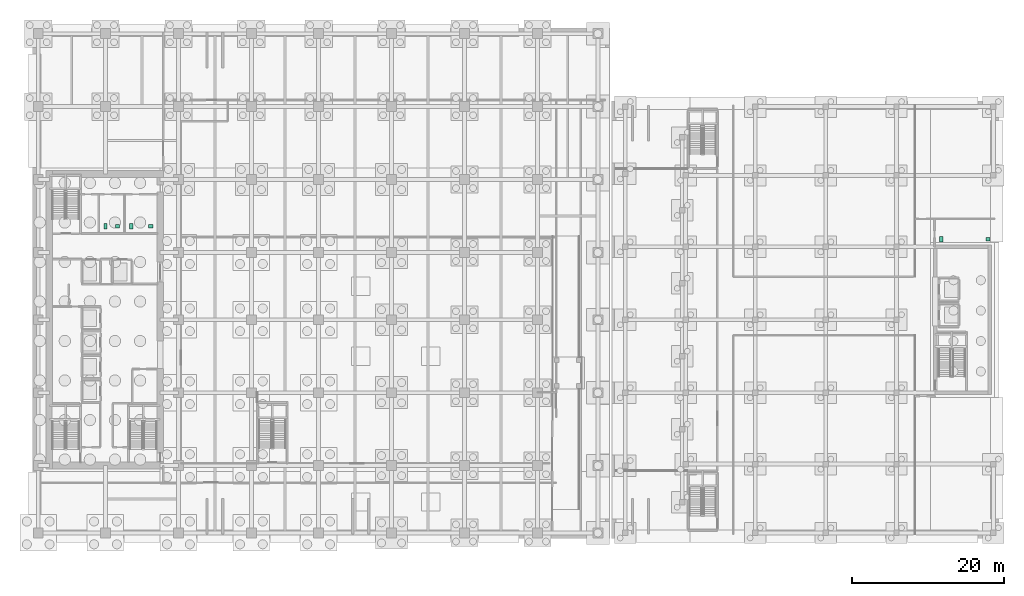
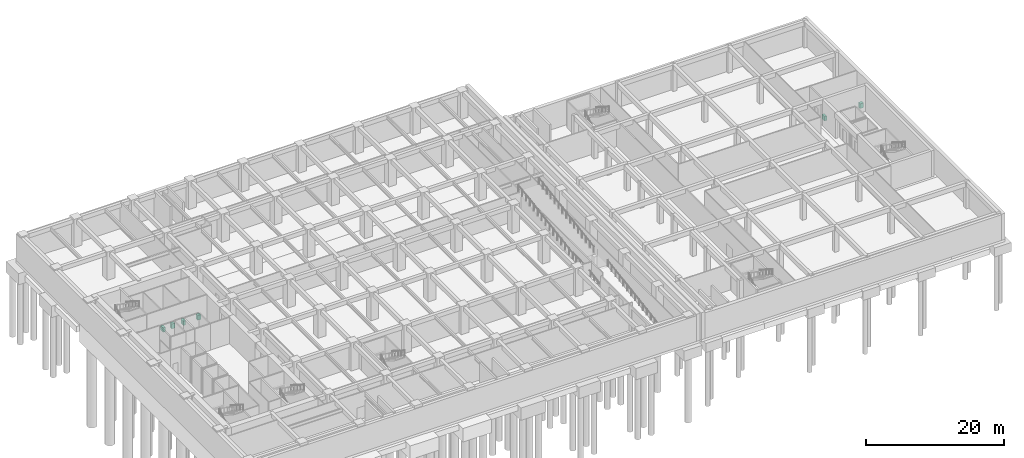
# One storey, part 19 of 20: 6 sanitary terminals.
"""IFC4 building model written with IfcOpenShell, lengths in metres."""

from ifc_helpers import new_model, si_unit, direction, frame, origin, origin_2d, place, context, subcontext, project, spatial, rectangle, extrude, material, type_object, element, save


model = new_model("IFC4")

# Units and contexts
model_context = context("Model", 3, precision=1e-05, world=origin(), true_north=direction((0.0, 1.0)))
body_context = subcontext(model_context, "Body", "Model", "MODEL_VIEW")
ifc_project = project(units=[si_unit("LENGTHUNIT", "METRE"), si_unit("AREAUNIT", "SQUARE_METRE"), si_unit("VOLUMEUNIT", "CUBIC_METRE"), si_unit("PLANEANGLEUNIT", "RADIAN"), si_unit("MASSUNIT", "GRAM", prefix="KILO")], contexts=[model_context])

# Site, building, storey
site_placement = place(None, origin())
site = spatial("IfcSite", under=ifc_project, at=site_placement, CompositionType="ELEMENT")
building_placement = place(site_placement, origin())
building = spatial("IfcBuilding", under=site, at=building_placement, Name="Norrvale University Quadrangle", CompositionType="ELEMENT")
storey_placement = place(building_placement, frame((0.0, 0.0, -5.0)))
storey = spatial("IfcBuildingStorey", under=building, at=storey_placement, Name="B01", CompositionType="ELEMENT", Elevation=-5.0)

# Sanitary terminals
ifc_material = material(Name="Vitreous China Sanitaryware")
sanitary_terminal_type_1 = type_object("IfcSanitaryTerminalType", Name="Sanitary Wash Basin", PredefinedType="WASHHANDBASIN", material=ifc_material)
for number, where, z_axis, x_axis, name in (
    (1, (11.199951171875, 41.10009765625, 0.0), (0.0, 0.0, 1.0), (1.0, 0.0, 0.0), "Accessible Countertop Washbasin B01-1"),
    (2, (15.550048828125, 41.10009765625, 0.0), (0.0, 0.0, 1.0), (1.0, 0.0, 0.0), "Accessible Countertop Washbasin B01-2"),
    (3, (125.75, 39.39990234375, 0.0), (0.0, 0.0, 1.0), (1.0, 0.0, 0.0), "Accessible Countertop Washbasin B01-3"),
):
    element("IfcSanitaryTerminal", number, at=place(storey_placement, frame(where, z_axis=z_axis, x_axis=x_axis)), inside=storey, type_object=sanitary_terminal_type_1, Name=name, PredefinedType="WASHHANDBASIN", context=body_context, shape_type="SweptSolid", body=[
        extrude(rectangle(XDim=0.550048828125, YDim=0.47998046875, at=origin_2d()), origin(), (0.0, 0.0, 1.0), 0.85009765625),
    ])
sanitary_terminal_type_2 = type_object("IfcSanitaryTerminalType", Name="Sanitary Water Closet", PredefinedType="TOILETPAN", material=ifc_material)
for number, where, z_axis, x_axis, name in (
    (4, (9.60009765625, 41.10009765625, 0.0), (0.0, 0.0, 1.0), (1.0, 0.0, 0.0), "Wall-Hung Water Closet B01-1"),
    (5, (13.0, 41.10009765625, 0.0), (0.0, 0.0, 1.0), (1.0, 0.0, 0.0), "Wall-Hung Water Closet B01-2"),
    (6, (119.60009765625, 39.39990234375, 0.0), (0.0, 0.0, 1.0), (1.0, 0.0, 0.0), "Wall-Hung Water Closet B01-3"),
):
    element("IfcSanitaryTerminal", number, at=place(storey_placement, frame(where, z_axis=z_axis, x_axis=x_axis)), inside=storey, type_object=sanitary_terminal_type_2, Name=name, PredefinedType="TOILETPAN", context=body_context, shape_type="SweptSolid", body=[
        extrude(rectangle(XDim=0.419921875, YDim=0.699951171875, at=origin_2d()), origin(), (0.0, 0.0, 1.0), 0.780029296875),
    ])

save(model, "model.ifc")
